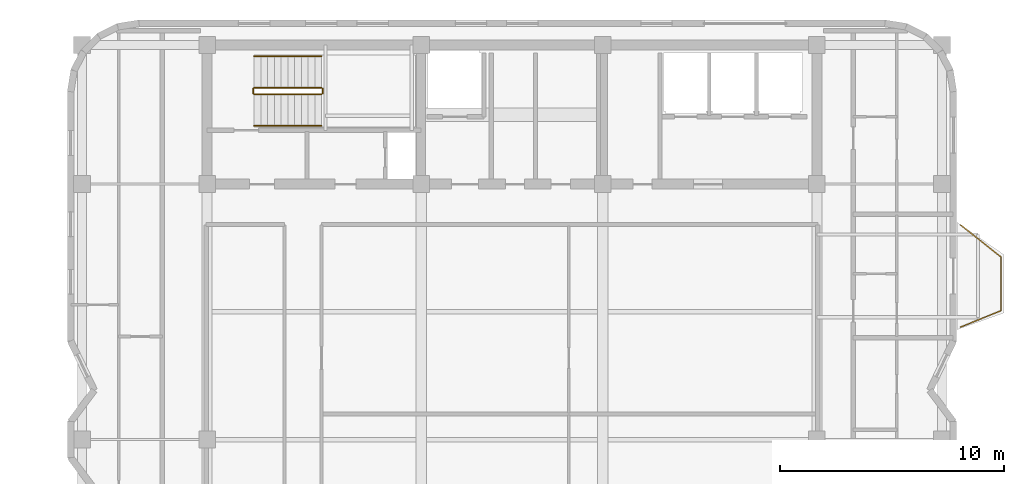
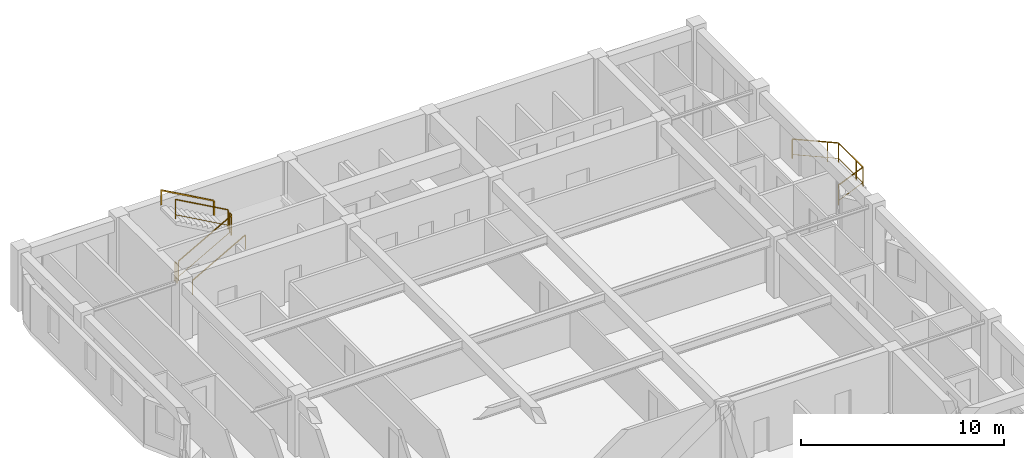
# One storey, part 11 of 11: 7 railings.
"""IFC4 building model written with IfcOpenShell, lengths in metres."""

from ifc_helpers import new_model, si_unit, direction, frame, origin, origin_2d, place, context, subcontext, project, spatial, rectangle, extrude, material, type_object, element, save


model = new_model("IFC4")

# Units and contexts
model_context = context("Model", 3, precision=1e-05, world=origin(), true_north=direction((0.0, 1.0)))
body_context = subcontext(model_context, "Body", "Model", "MODEL_VIEW")
ifc_project = project(units=[si_unit("LENGTHUNIT", "METRE"), si_unit("AREAUNIT", "SQUARE_METRE"), si_unit("VOLUMEUNIT", "CUBIC_METRE"), si_unit("PLANEANGLEUNIT", "RADIAN"), si_unit("MASSUNIT", "GRAM", prefix="KILO")], contexts=[model_context])

# Site, building, storey
site_placement = place(None, origin())
site = spatial("IfcSite", under=ifc_project, at=site_placement, CompositionType="ELEMENT")
building_placement = place(site_placement, origin())
building = spatial("IfcBuilding", under=site, at=building_placement, Name="Svetorya Sky Lyceum", CompositionType="ELEMENT")
storey_placement = place(building_placement, frame((0.0, 0.0, 275.0)))
storey = spatial("IfcBuildingStorey", under=building, at=storey_placement, Name="L69", CompositionType="ELEMENT", Elevation=275.0)

# Railings
ifc_material_1 = material(Name="Laminated safety glass and stainless AISI 316", Category="glass")
railing_type_1 = type_object("IfcRailingType", Name="RL-BAL-1200", PredefinedType="BALUSTRADE", material=ifc_material_1)
railing_1_placement = place(storey_placement, frame((59.2099609375, 37.780029296875, 0.0)))
element("IfcRailing", 1, at=railing_1_placement, inside=storey, type_object=railing_type_1, Name="L69 Balcony Balustrade BAL-E1", PredefinedType="BALUSTRADE", context=body_context, shape_type="SweptSolid", body=[
    extrude(rectangle(XDim=0.048095703125, YDim=0.048095703125, at=origin_2d()), frame((0.0, 0.0, 1.17578125), z_axis=(0.783008919264, -0.622010476079, 0.0), x_axis=(0.622010476079, 0.783008919264, 0.0)), (0.0, 0.0, 1.0), 2.298828125),
    extrude(rectangle(XDim=0.02392578125, YDim=0.02392578125, at=origin_2d()), frame((0.0, 0.0, 0.25), z_axis=(0.783008919264, -0.622010476079, 0.0), x_axis=(0.622010476079, 0.783008919264, 0.0)), (0.0, 0.0, 1.0), 2.298828125),
    extrude(rectangle(XDim=0.048095703125, YDim=0.048095703125, at=origin_2d()), frame((1.800048828125, -1.429931640625, 1.17578125), z_axis=(0.0, -1.0, 0.0), x_axis=(1.0, 0.0, 0.0)), (0.0, 0.0, 1.0), 2.400146484375),
    extrude(rectangle(XDim=0.02392578125, YDim=0.02392578125, at=origin_2d()), frame((1.800048828125, -1.429931640625, 0.25), z_axis=(0.0, -1.0, 0.0), x_axis=(1.0, 0.0, 0.0)), (0.0, 0.0, 1.0), 2.400146484375),
    extrude(rectangle(XDim=0.048095703125, YDim=0.048095703125, at=origin_2d()), frame((1.800048828125, -3.830078125, 1.17578125), z_axis=(-0.926697865975, -0.375807218129, 0.0), x_axis=(0.375807218129, -0.926697865975, 0.0)), (0.0, 0.0, 1.0), 1.9423828125),
    extrude(rectangle(XDim=0.02392578125, YDim=0.02392578125, at=origin_2d()), frame((1.800048828125, -3.830078125, 0.25), z_axis=(-0.926697865975, -0.375807218129, 0.0), x_axis=(0.375807218129, -0.926697865975, 0.0)), (0.0, 0.0, 1.0), 1.9423828125),
    extrude(rectangle(XDim=0.0419921875, YDim=0.0419921875, at=origin_2d()), origin(), (0.0, 0.0, 1.0), 1.15185546875),
    extrude(rectangle(XDim=0.0419921875, YDim=0.0419921875, at=origin_2d()), frame((1.370361328125, -1.088623046875, 0.0)), (0.0, 0.0, 1.0), 1.15185546875),
    extrude(rectangle(XDim=0.0419921875, YDim=0.0419921875, at=origin_2d()), frame((1.800048828125, -1.429931640625, 0.0)), (0.0, 0.0, 1.0), 1.15185546875),
    extrude(rectangle(XDim=0.0419921875, YDim=0.0419921875, at=origin_2d()), frame((1.800048828125, -3.179931640625, 0.0)), (0.0, 0.0, 1.0), 1.15185546875),
    extrude(rectangle(XDim=0.0419921875, YDim=0.0419921875, at=origin_2d()), frame((1.800048828125, -3.830078125, 0.0)), (0.0, 0.0, 1.0), 1.15185546875),
    extrude(rectangle(XDim=0.0419921875, YDim=0.0419921875, at=origin_2d()), frame((0.0, -4.56005859375, 0.0)), (0.0, 0.0, 1.0), 1.15185546875),
])
ifc_material_2 = material(Name="Painted galvanized stair well guard")
railing_type_2 = type_object("IfcRailingType", Name="RL-STR-GUARD-1200", PredefinedType="GUARDRAIL", material=ifc_material_2)
railing_2_placement = place(storey_placement, frame((27.699951171875, 43.60009765625, 0.168212890625)))
element("IfcRailing", 2, at=railing_2_placement, inside=storey, type_object=railing_type_2, Name="L69 ST-N stair guard 1", PredefinedType="GUARDRAIL", context=body_context, shape_type="SweptSolid", body=[
    extrude(rectangle(XDim=0.048095703125, YDim=0.048095703125, at=origin_2d()), frame((0.0, 0.0, 1.17578125), z_axis=(0.872272294576, 0.0, 0.489020494575), x_axis=(0.0, 1.0, 0.0)), (0.0, 0.0, 1.0), 3.439208984375),
    extrude(rectangle(XDim=0.02392578125, YDim=0.02392578125, at=origin_2d()), frame((0.0, 0.0, 0.25), z_axis=(0.872272294576, 0.0, 0.489020494575), x_axis=(0.0, 1.0, 0.0)), (0.0, 0.0, 1.0), 3.439208984375),
    extrude(rectangle(XDim=0.0419921875, YDim=0.0419921875, at=origin_2d()), origin(), (0.0, 0.0, 1.0), 1.15185546875),
    extrude(rectangle(XDim=0.0419921875, YDim=0.0419921875, at=origin_2d()), frame((3.0, 0.0, 1.681884765625)), (0.0, 0.0, 1.0), 1.15185546875),
])
railing_3_placement = place(storey_placement, frame((30.75, 43.64990234375, 1.85009765625)))
element("IfcRailing", 3, at=railing_3_placement, inside=storey, type_object=railing_type_2, Name="L69 ST-N stair guard 2", PredefinedType="GUARDRAIL", context=body_context, shape_type="SweptSolid", body=[
    extrude(rectangle(XDim=0.048095703125, YDim=0.048095703125, at=origin_2d()), frame((0.0, 0.0, 1.17578125), z_axis=(0.0, 1.0, 0.0), x_axis=(-1.0, 0.0, 0.0)), (0.0, 0.0, 1.0), 0.2001953125),
    extrude(rectangle(XDim=0.02392578125, YDim=0.02392578125, at=origin_2d()), frame((0.0, 0.0, 0.25), z_axis=(0.0, 1.0, 0.0), x_axis=(-1.0, 0.0, 0.0)), (0.0, 0.0, 1.0), 0.2001953125),
    extrude(rectangle(XDim=0.0419921875, YDim=0.0419921875, at=origin_2d()), origin(), (0.0, 0.0, 1.0), 1.15185546875),
    extrude(rectangle(XDim=0.0419921875, YDim=0.0419921875, at=origin_2d()), frame((0.0, 0.2001953125, 0.0)), (0.0, 0.0, 1.0), 1.15185546875),
])
railing_4_placement = place(storey_placement, frame((30.699951171875, 43.89990234375, 2.01806640625)))
element("IfcRailing", 4, at=railing_4_placement, inside=storey, type_object=railing_type_2, Name="L69 ST-N stair guard 3", PredefinedType="GUARDRAIL", context=body_context, shape_type="SweptSolid", body=[
    extrude(rectangle(XDim=0.048095703125, YDim=0.048095703125, at=origin_2d()), frame((0.0, 0.0, 1.17578125), z_axis=(-0.872272294576, 0.0, 0.489020494575), x_axis=(0.0, -1.0, 0.0)), (0.0, 0.0, 1.0), 3.439208984375),
    extrude(rectangle(XDim=0.02392578125, YDim=0.02392578125, at=origin_2d()), frame((0.0, 0.0, 0.25), z_axis=(-0.872272294576, 0.0, 0.489020494575), x_axis=(0.0, -1.0, 0.0)), (0.0, 0.0, 1.0), 3.439208984375),
    extrude(rectangle(XDim=0.0419921875, YDim=0.0419921875, at=origin_2d()), origin(), (0.0, 0.0, 1.0), 1.15185546875),
    extrude(rectangle(XDim=0.0419921875, YDim=0.0419921875, at=origin_2d()), frame((-3.0, 0.0, 1.681884765625)), (0.0, 0.0, 1.0), 1.15185546875),
])
railing_5_placement = place(storey_placement, frame((27.64990234375, 43.64990234375, 0.0)))
element("IfcRailing", 5, at=railing_5_placement, inside=storey, type_object=railing_type_2, Name="L69 ST-N stair guard 4", PredefinedType="GUARDRAIL", context=body_context, shape_type="SweptSolid", body=[
    extrude(rectangle(XDim=0.048095703125, YDim=0.048095703125, at=origin_2d()), frame((0.0, 0.0, 1.17578125), z_axis=(0.0, 1.0, 0.0), x_axis=(-1.0, 0.0, 0.0)), (0.0, 0.0, 1.0), 0.2001953125),
    extrude(rectangle(XDim=0.02392578125, YDim=0.02392578125, at=origin_2d()), frame((0.0, 0.0, 0.25), z_axis=(0.0, 1.0, 0.0), x_axis=(-1.0, 0.0, 0.0)), (0.0, 0.0, 1.0), 0.2001953125),
    extrude(rectangle(XDim=0.0419921875, YDim=0.0419921875, at=origin_2d()), origin(), (0.0, 0.0, 1.0), 1.15185546875),
    extrude(rectangle(XDim=0.0419921875, YDim=0.0419921875, at=origin_2d()), frame((0.0, 0.2001953125, 0.0)), (0.0, 0.0, 1.0), 1.15185546875),
])
ifc_material_3 = material(Name="Brushed stainless AISI 304 stair handrail")
railing_type_3 = type_object("IfcRailingType", Name="RL-STR-HAND-920", PredefinedType="HANDRAIL", material=ifc_material_3)
railing_6_placement = place(storey_placement, frame((27.699951171875, 42.199951171875, 0.168212890625)))
element("IfcRailing", 6, at=railing_6_placement, inside=storey, type_object=railing_type_3, Name="L69 ST-N stair handrail 1", PredefinedType="HANDRAIL", context=body_context, shape_type="SweptSolid", body=[
    extrude(rectangle(XDim=0.048095703125, YDim=0.048095703125, at=origin_2d()), frame((0.0, 0.0, 0.8759765625), z_axis=(0.872272294576, 0.0, 0.489020494575), x_axis=(0.0, 1.0, 0.0)), (0.0, 0.0, 1.0), 3.439208984375),
    extrude(rectangle(XDim=0.0419921875, YDim=0.0419921875, at=origin_2d()), origin(), (0.0, 0.0, 1.0), 0.851806640625),
    extrude(rectangle(XDim=0.0419921875, YDim=0.0419921875, at=origin_2d()), frame((3.0, 0.0, 1.681884765625)), (0.0, 0.0, 1.0), 0.851806640625),
])
railing_7_placement = place(storey_placement, frame((30.699951171875, 45.300048828125, 2.01806640625)))
element("IfcRailing", 7, at=railing_7_placement, inside=storey, type_object=railing_type_3, Name="L69 ST-N stair handrail 2", PredefinedType="HANDRAIL", context=body_context, shape_type="SweptSolid", body=[
    extrude(rectangle(XDim=0.048095703125, YDim=0.048095703125, at=origin_2d()), frame((0.0, 0.0, 0.8759765625), z_axis=(-0.872272294576, 0.0, 0.489020494575), x_axis=(0.0, -1.0, 0.0)), (0.0, 0.0, 1.0), 3.439208984375),
    extrude(rectangle(XDim=0.0419921875, YDim=0.0419921875, at=origin_2d()), origin(), (0.0, 0.0, 1.0), 0.851806640625),
    extrude(rectangle(XDim=0.0419921875, YDim=0.0419921875, at=origin_2d()), frame((-3.0, 0.0, 1.681884765625)), (0.0, 0.0, 1.0), 0.851806640625),
])

save(model, "model.ifc")
